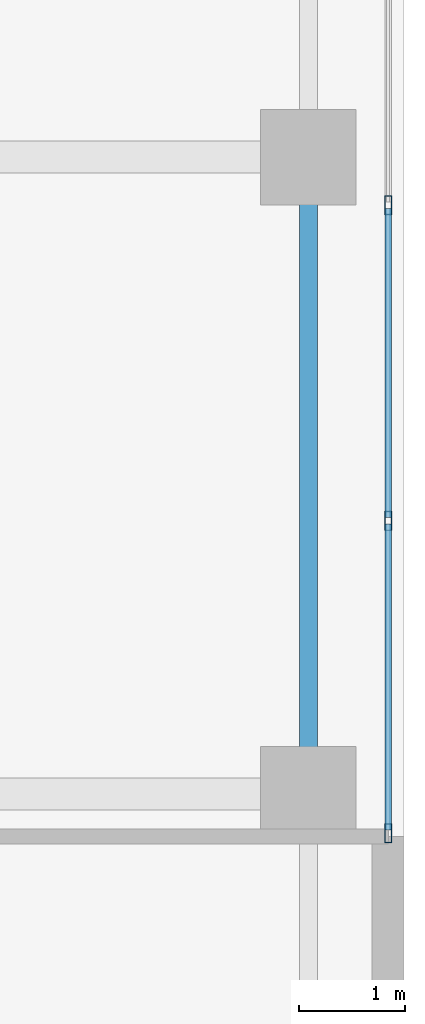
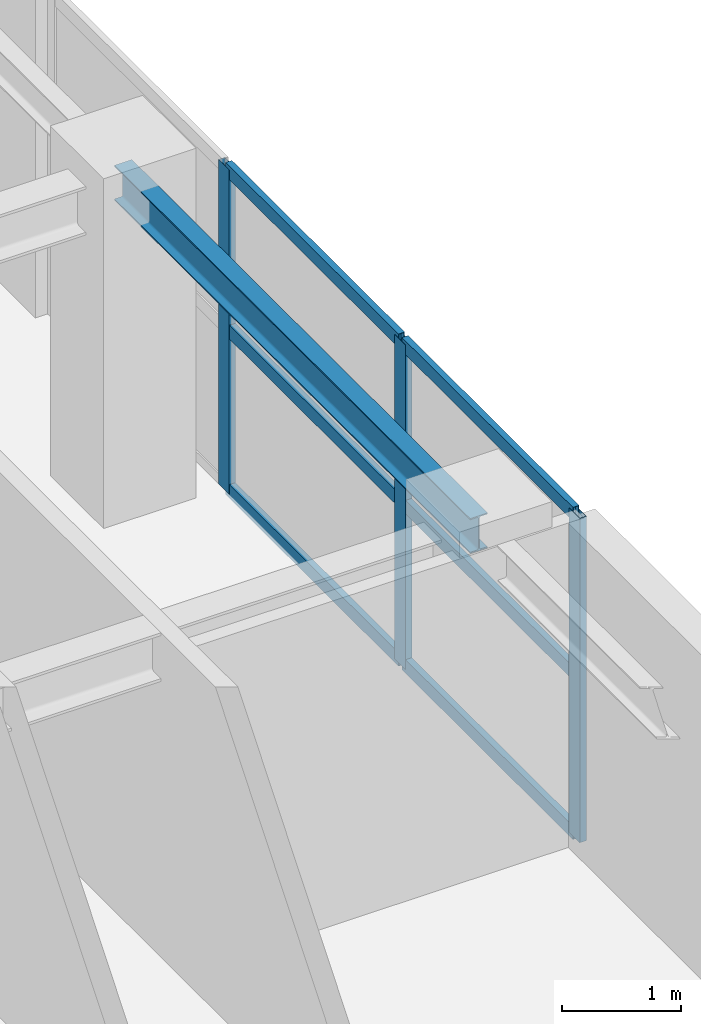
# One storey, part 10 of 21: 9 members, 1 beam, 1 element without a shape of its own.
"""IFC4 building model written with IfcOpenShell, lengths in metres."""

from ifc_helpers import new_model, si_unit, direction, frame, origin, origin_2d, place, context, subcontext, project, spatial, hollow_rectangle, i_section, extrude, source, transform, mapped, material, layer, layer_set, material_profile, profile_set, type_object, element, aggregate, save


model = new_model("IFC4")

# Units and contexts
model_context = context("Model", 3, precision=1e-05, world=origin(), true_north=direction((0.0, 1.0)))
body_context = subcontext(model_context, "Body", "Model", "MODEL_VIEW")
ifc_project = project(units=[si_unit("LENGTHUNIT", "METRE"), si_unit("AREAUNIT", "SQUARE_METRE"), si_unit("VOLUMEUNIT", "CUBIC_METRE"), si_unit("PLANEANGLEUNIT", "RADIAN"), si_unit("MASSUNIT", "GRAM", prefix="KILO")], contexts=[model_context])

# Site, building, storey
site_placement = place(None, origin())
site = spatial("IfcSite", under=ifc_project, at=site_placement, CompositionType="ELEMENT")
building_placement = place(site_placement, origin())
building = spatial("IfcBuilding", under=site, at=building_placement, Name="Khoralis Quay Care Tower", CompositionType="ELEMENT")
storey_placement = place(building_placement, frame((0.0, 0.0, 206.10009765625)))
storey = spatial("IfcBuildingStorey", under=building, at=storey_placement, Name="L54", CompositionType="ELEMENT", Elevation=206.10009765625)

# Beam
ifc_material_1 = material(Name="Steel S355", Category="steel")
ifc_material_profile_1 = material_profile(ifc_material_1, i_section(OverallWidth=0.169921875, OverallDepth=0.360107421875, WebThickness=0.008056640625, FlangeThickness=0.0126953125, FilletRadius=0.01806640625, at=origin_2d()), Name="Steel S355")
ifc_profile_set_1 = profile_set([ifc_material_profile_1], Name="Steel S355")
beam_type = type_object("IfcBeamType", Name="BM-IPE360", PredefinedType="SPANDREL", material=ifc_profile_set_1)
shared_shape_1 = source(origin(), body_context, "Body", "SweptSolid", [
    extrude(i_section(OverallWidth=0.169921875, OverallDepth=0.360107421875, WebThickness=0.008056640625, FlangeThickness=0.0126953125, FilletRadius=0.01806640625, at=origin_2d()), origin(), (0.0, 0.0, 1.0), 6.0),
])
beam_placement = place(storey_placement, frame((44.10009765625, 18.0, 3.159912109375), z_axis=(0.0, 1.0, 0.0), x_axis=(-1.0, 0.0, 0.0)))
element("IfcBeam", 1, at=beam_placement, inside=storey, type_object=beam_type, Name="BM-TSP-L54-12", PredefinedType="SPANDREL", context=body_context, shape_type="MappedRepresentation", body=[
    mapped(shared_shape_1, transform((0.0, 0.0, 0.0), scale=1.0)),
])

# Curtain wall, members
ifc_material_2 = material(Name="Pale anodised aluminium", Category="aluminium")
ifc_layer = layer(ifc_material_2, 0.159912109375)
ifc_layer_set = layer_set([ifc_layer], Name="Pale anodised aluminium")
curtain_wall_type = type_object("IfcCurtainWallType", Name="CW-SYS-Z3", PredefinedType="NOTDEFINED", material=ifc_layer_set)
curtain_wall_placement = place(storey_placement, origin())
curtain_wall = element("IfcCurtainWall", 2, at=curtain_wall_placement, inside=storey, type_object=curtain_wall_type, Name="L54 Unitised Curtain Wall CW-L54-P2-E5", PredefinedType="NOTDEFINED")
ifc_material_profile_2 = material_profile(ifc_material_2, hollow_rectangle(XDim=0.06494140625, YDim=0.179931640625, WallThickness=0.00390625, at=origin_2d()), Name="Pale anodised aluminium")
ifc_profile_set_2 = profile_set([ifc_material_profile_2], Name="Pale anodised aluminium")
member_type_1 = type_object("IfcMemberType", Name="CW-MUL-180", PredefinedType="MULLION", material=ifc_profile_set_2)
shared_shape_2 = source(origin(), body_context, "Body", "SweptSolid", [
    extrude(hollow_rectangle(XDim=0.06494140625, YDim=0.179931640625, WallThickness=0.00390625, at=origin_2d()), origin(), (0.0, 0.0, 1.0), 3.33984375),
])
member_1_placement = place(storey_placement, frame((44.85009765625, 17.6298828125, 0.0), z_axis=(0.0, 0.0, 1.0), x_axis=(-1.0, 0.0, 0.0)))
member_1 = element("IfcMember", 3, at=member_1_placement, type_object=member_type_1, Name="CW3 mullion 1", PredefinedType="MULLION", context=body_context, shape_type="MappedRepresentation", body=[
    mapped(shared_shape_2, transform((0.0, 0.0, 0.0), scale=1.0)),
])
member_2_placement = place(storey_placement, frame((44.85009765625, 20.5732421875, 0.0), z_axis=(0.0, 0.0, 1.0), x_axis=(-1.0, 0.0, 0.0)))
member_2 = element("IfcMember", 4, at=member_2_placement, type_object=member_type_1, Name="CW3 mullion 2", PredefinedType="MULLION", context=body_context, shape_type="MappedRepresentation", body=[
    mapped(shared_shape_2, transform((0.0, 0.0, 0.0), scale=1.0)),
])
member_3_placement = place(storey_placement, frame((44.85009765625, 23.546630859375, 0.0), z_axis=(0.0, 0.0, 1.0), x_axis=(-1.0, 0.0, 0.0)))
member_3 = element("IfcMember", 5, at=member_3_placement, type_object=member_type_1, Name="CW3 mullion 3", PredefinedType="MULLION", context=body_context, shape_type="MappedRepresentation", body=[
    mapped(shared_shape_2, transform((0.0, 0.0, 0.0), scale=1.0)),
])
ifc_material_profile_3 = material_profile(ifc_material_2, hollow_rectangle(XDim=0.06005859375, YDim=0.139892578125, WallThickness=0.00390625, at=origin_2d()), Name="Pale anodised aluminium")
ifc_profile_set_3 = profile_set([ifc_material_profile_3], Name="Pale anodised aluminium")
member_type_2 = type_object("IfcMemberType", Name="CW-TRN-140", PredefinedType="USERDEFINED", material=ifc_profile_set_3)
shared_shape_3 = source(origin(), body_context, "Body", "SweptSolid", [
    extrude(hollow_rectangle(XDim=0.06005859375, YDim=0.139892578125, WallThickness=0.00390625, at=origin_2d()), origin(), (0.0, 0.0, 1.0), 2.88330078125),
])
member_4_placement = place(storey_placement, frame((44.85009765625, 17.659912109375, 0.02978515625), z_axis=(0.0, 1.0, 0.0), x_axis=(-1.0, 0.0, 0.0)))
member_4 = element("IfcMember", 6, at=member_4_placement, type_object=member_type_2, Name="CW3 transom 1.1", ObjectType="TRANSOM", PredefinedType="USERDEFINED", context=body_context, shape_type="MappedRepresentation", body=[
    mapped(shared_shape_3, transform((0.0, 0.0, 0.0), scale=1.0)),
])
member_5_placement = place(storey_placement, frame((44.85009765625, 17.659912109375, 1.669921875), z_axis=(0.0, 1.0, 0.0), x_axis=(-1.0, 0.0, 0.0)))
member_5 = element("IfcMember", 7, at=member_5_placement, type_object=member_type_2, Name="CW3 transom 1.2", ObjectType="TRANSOM", PredefinedType="USERDEFINED", context=body_context, shape_type="MappedRepresentation", body=[
    mapped(shared_shape_3, transform((0.0, 0.0, 0.0), scale=1.0)),
])
member_6_placement = place(storey_placement, frame((44.85009765625, 17.659912109375, 3.309814453125), z_axis=(0.0, 1.0, 0.0), x_axis=(-1.0, 0.0, 0.0)))
member_6 = element("IfcMember", 8, at=member_6_placement, type_object=member_type_2, Name="CW3 transom 1.3", ObjectType="TRANSOM", PredefinedType="USERDEFINED", context=body_context, shape_type="MappedRepresentation", body=[
    mapped(shared_shape_3, transform((0.0, 0.0, 0.0), scale=1.0)),
])
shared_shape_4 = source(origin(), body_context, "Body", "SweptSolid", [
    extrude(hollow_rectangle(XDim=0.06005859375, YDim=0.139892578125, WallThickness=0.00390625, at=origin_2d()), origin(), (0.0, 0.0, 1.0), 2.913330078125),
])
member_7_placement = place(storey_placement, frame((44.85009765625, 20.603271484375, 0.02978515625), z_axis=(0.0, 1.0, 0.0), x_axis=(-1.0, 0.0, 0.0)))
member_7 = element("IfcMember", 9, at=member_7_placement, type_object=member_type_2, Name="CW3 transom 2.1", ObjectType="TRANSOM", PredefinedType="USERDEFINED", context=body_context, shape_type="MappedRepresentation", body=[
    mapped(shared_shape_4, transform((0.0, 0.0, 0.0), scale=1.0)),
])
member_8_placement = place(storey_placement, frame((44.85009765625, 20.603271484375, 1.669921875), z_axis=(0.0, 1.0, 0.0), x_axis=(-1.0, 0.0, 0.0)))
member_8 = element("IfcMember", 10, at=member_8_placement, type_object=member_type_2, Name="CW3 transom 2.2", ObjectType="TRANSOM", PredefinedType="USERDEFINED", context=body_context, shape_type="MappedRepresentation", body=[
    mapped(shared_shape_4, transform((0.0, 0.0, 0.0), scale=1.0)),
])
member_9_placement = place(storey_placement, frame((44.85009765625, 20.603271484375, 3.309814453125), z_axis=(0.0, 1.0, 0.0), x_axis=(-1.0, 0.0, 0.0)))
member_9 = element("IfcMember", 11, at=member_9_placement, type_object=member_type_2, Name="CW3 transom 2.3", ObjectType="TRANSOM", PredefinedType="USERDEFINED", context=body_context, shape_type="MappedRepresentation", body=[
    mapped(shared_shape_4, transform((0.0, 0.0, 0.0), scale=1.0)),
])
aggregate(curtain_wall, [member_1, member_2, member_3, member_4, member_5, member_6, member_7, member_8, member_9])

save(model, "model.ifc")
